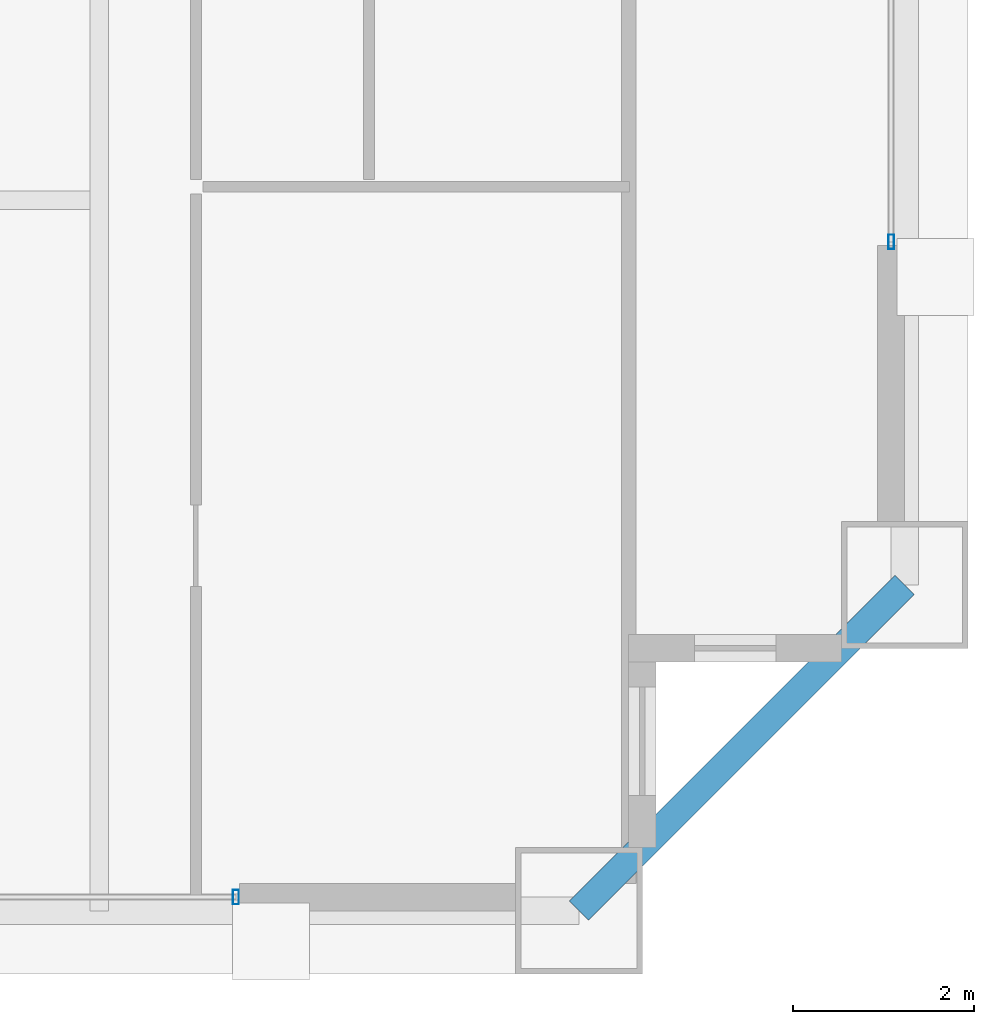
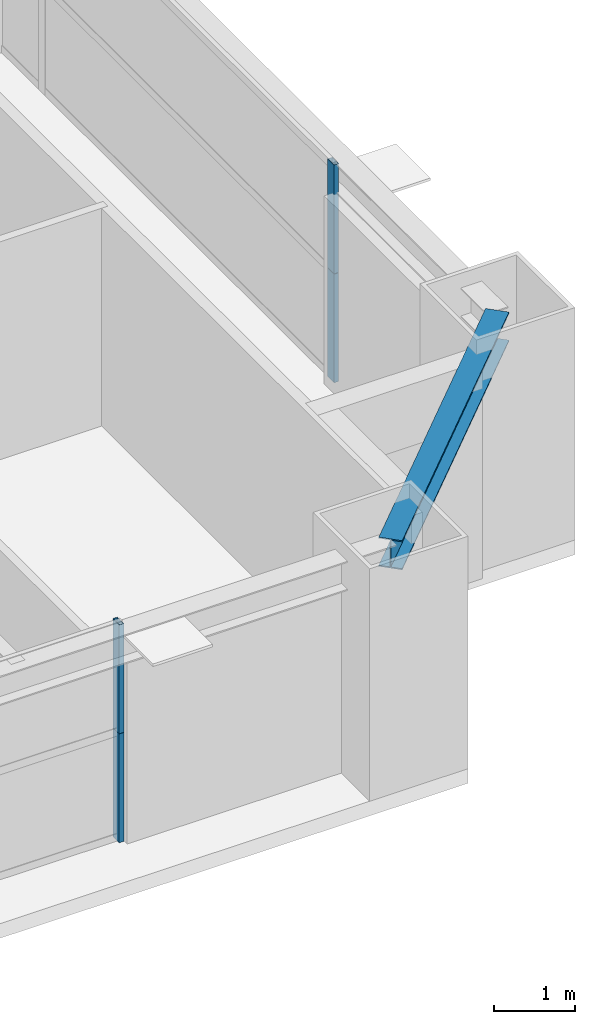
# One storey, part 16 of 38: 4 members, 1 beam, 2 elements without a shape of their own.
"""IFC4 building model written with IfcOpenShell, lengths in metres."""

from ifc_helpers import new_model, si_unit, direction, frame, origin, origin_2d, place, context, subcontext, project, spatial, hollow_rectangle, i_section, extrude, source, transform, mapped, material, layer, layer_set, material_profile, profile_set, type_object, element, aggregate, save


model = new_model("IFC4")

# Units and contexts
model_context = context("Model", 3, precision=1e-05, world=origin(), true_north=direction((0.0, 1.0)))
body_context = subcontext(model_context, "Body", "Model", "MODEL_VIEW")
ifc_project = project(units=[si_unit("LENGTHUNIT", "METRE"), si_unit("AREAUNIT", "SQUARE_METRE"), si_unit("VOLUMEUNIT", "CUBIC_METRE"), si_unit("PLANEANGLEUNIT", "RADIAN"), si_unit("MASSUNIT", "GRAM", prefix="KILO"), si_unit("THERMODYNAMICTEMPERATUREUNIT", "KELVIN"), si_unit("POWERUNIT", "WATT")], contexts=[model_context])

# Site, building, storey
site_placement = place(None, origin())
site = spatial("IfcSite", under=ifc_project, at=site_placement, CompositionType="ELEMENT")
building_placement = place(site_placement, origin())
building = spatial("IfcBuilding", under=site, at=building_placement, Name="Yuzanri Waterfront Tower", CompositionType="ELEMENT")
storey_placement = place(building_placement, frame((0.0, 0.0, 209.0)))
storey = spatial("IfcBuildingStorey", under=building, at=storey_placement, Name="L55", CompositionType="ELEMENT", Elevation=209.0)

# Beam
ifc_material_1 = material(Name="Steel Q355B", Category="steel")
ifc_material_profile_1 = material_profile(ifc_material_1, i_section(OverallWidth=0.300048828125, OverallDepth=0.43994140625, WebThickness=0.010986328125, FlangeThickness=0.01806640625, at=origin_2d()), Name="HM 440x300x11x18")
ifc_profile_set_1 = profile_set([ifc_material_profile_1], Name="Steel Q355B")
beam_type = type_object("IfcBeamType", Name="Perimeter Spandrel Q355B HM 440x300", PredefinedType="SPANDREL", material=ifc_profile_set_1)
shared_shape_1 = source(origin(), body_context, "Body", "SweptSolid", [
    extrude(i_section(OverallWidth=0.300048828125, OverallDepth=0.43994140625, WebThickness=0.010986328125, FlangeThickness=0.01806640625, at=origin_2d()), origin(), (0.0, 0.0, 1.0), 5.09130859375),
])
beam_placement = place(storey_placement, frame((55.5, 3.699951171875, 3.06005859375), z_axis=(0.707106781187, 0.707106781187, 0.0), x_axis=(-0.707106781187, 0.707106781187, 0.0)))
element("IfcBeam", 1, at=beam_placement, inside=storey, type_object=beam_type, Name="L55 Perimeter Spandrel S3-E1", PredefinedType="SPANDREL", context=body_context, shape_type="MappedRepresentation", body=[
    mapped(shared_shape_1, transform((0.0, 0.0, 0.0), scale=1.0)),
])

# Curtain wall, members
ifc_material_2 = material(Name="Anodized Architectural Bronze", Category="metal")
ifc_layer = layer(ifc_material_2, 0.159912109375)
ifc_layer_set = layer_set([ifc_layer], Name="Anodized Architectural Bronze")
curtain_wall_type = type_object("IfcCurtainWallType", Name="Anodized Bronze Mid-Rise Residential Acoustic Unitized Curtain Wall 7200", PredefinedType="NOTDEFINED", material=ifc_layer_set)
curtain_wall_1_placement = place(storey_placement, origin())
curtain_wall_1 = element("IfcCurtainWall", 2, at=curtain_wall_1_placement, inside=storey, type_object=curtain_wall_type, Name="L55 Curtain Wall CW-L55-SR", PredefinedType="NOTDEFINED")
ifc_material_3 = material(Name="Anodized Architectural Bronze", Category="metal")
ifc_material_profile_2 = material_profile(ifc_material_3, hollow_rectangle(XDim=0.06494140625, YDim=0.159912109375, WallThickness=0.00341796875, at=origin_2d()), Name="CWM 65x160")
ifc_profile_set_2 = profile_set([ifc_material_profile_2], Name="Anodized Architectural Bronze")
member_type = type_object("IfcMemberType", Name="Anodized Bronze Upper-Zone Curtain-Wall Mullion 65x160", PredefinedType="MULLION", material=ifc_profile_set_2)
shared_shape_2 = source(origin(), body_context, "Body", "SweptSolid", [
    extrude(hollow_rectangle(XDim=0.06494140625, YDim=0.159912109375, WallThickness=0.00341796875, at=origin_2d()), origin(), (0.0, 0.0, 1.0), 1.637939453125),
])
member_1_placement = place(storey_placement, frame((51.7099609375, 3.85009765625, 0.0), z_axis=(0.0, 0.0, 1.0), x_axis=(1.0, 0.0, 0.0)))
member_1 = element("IfcMember", 3, at=member_1_placement, type_object=member_type, Name="CW-L55-SR Lower Mullion 02", PredefinedType="MULLION", context=body_context, shape_type="MappedRepresentation", body=[
    mapped(shared_shape_2, transform((0.0, 0.0, 0.0), scale=1.0)),
])
member_2_placement = place(storey_placement, frame((51.7099609375, 3.85009765625, 1.64208984375), z_axis=(0.0, 0.0, 1.0), x_axis=(1.0, 0.0, 0.0)))
member_2 = element("IfcMember", 4, at=member_2_placement, type_object=member_type, Name="CW-L55-SR Upper Mullion 02", PredefinedType="MULLION", context=body_context, shape_type="MappedRepresentation", body=[
    mapped(shared_shape_2, transform((0.0, 0.0, 0.0), scale=1.0)),
])
aggregate(curtain_wall_1, [member_1, member_2])

curtain_wall_2_placement = place(storey_placement, origin())
curtain_wall_2 = element("IfcCurtainWall", 5, at=curtain_wall_2_placement, inside=storey, type_object=curtain_wall_type, Name="L55 Curtain Wall CW-L55-EL", PredefinedType="NOTDEFINED")
member_3_placement = place(storey_placement, frame((58.949951171875, 11.090087890625, 0.0), z_axis=(0.0, 0.0, 1.0), x_axis=(1.0, 0.0, 0.0)))
member_3 = element("IfcMember", 6, at=member_3_placement, type_object=member_type, Name="CW-L55-EL Lower Mullion 00", PredefinedType="MULLION", context=body_context, shape_type="MappedRepresentation", body=[
    mapped(shared_shape_2, transform((0.0, 0.0, 0.0), scale=1.0)),
])
member_4_placement = place(storey_placement, frame((58.949951171875, 11.090087890625, 1.64208984375), z_axis=(0.0, 0.0, 1.0), x_axis=(1.0, 0.0, 0.0)))
member_4 = element("IfcMember", 7, at=member_4_placement, type_object=member_type, Name="CW-L55-EL Upper Mullion 00", PredefinedType="MULLION", context=body_context, shape_type="MappedRepresentation", body=[
    mapped(shared_shape_2, transform((0.0, 0.0, 0.0), scale=1.0)),
])
aggregate(curtain_wall_2, [member_3, member_4])

save(model, "model.ifc")
